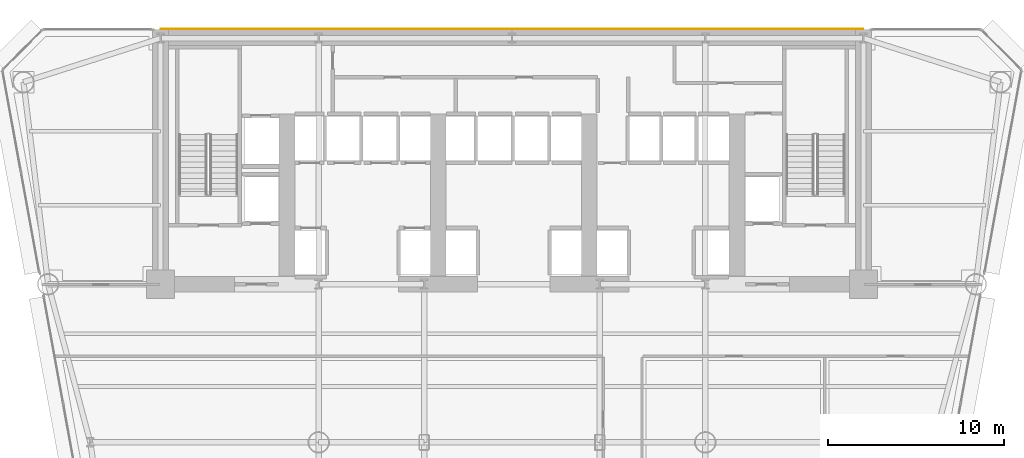
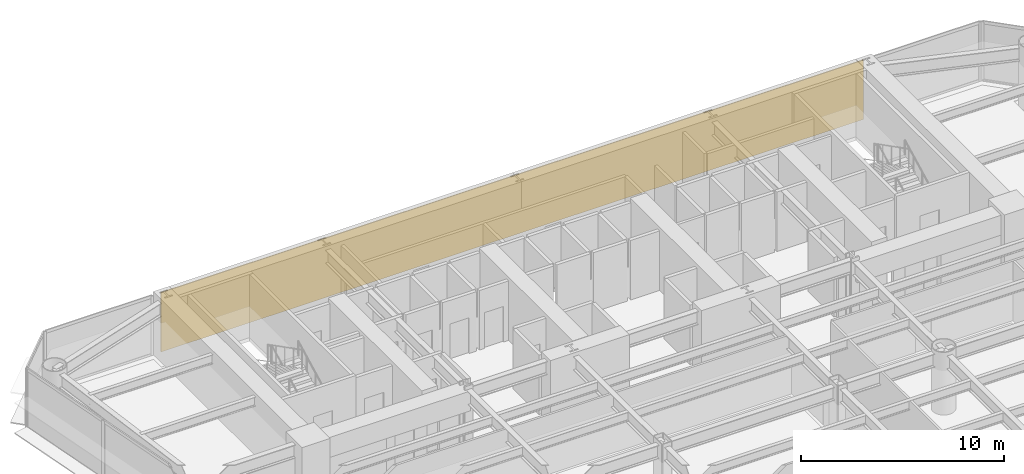
# One storey, part 13 of 14: 1 covering.
"""IFC4 building model written with IfcOpenShell, lengths in metres."""

from ifc_helpers import new_model, si_unit, direction, frame, origin, place, context, subcontext, project, spatial, polyline, outline, extrude, material, layer, layer_set, type_object, element, save


model = new_model("IFC4")

# Units and contexts
model_context = context("Model", 3, precision=1e-05, world=origin(), true_north=direction((0.0, 1.0)))
body_context = subcontext(model_context, "Body", "Model", "MODEL_VIEW")
ifc_project = project(units=[si_unit("LENGTHUNIT", "METRE"), si_unit("AREAUNIT", "SQUARE_METRE"), si_unit("VOLUMEUNIT", "CUBIC_METRE"), si_unit("PLANEANGLEUNIT", "RADIAN"), si_unit("MASSUNIT", "GRAM", prefix="KILO")], contexts=[model_context])

# Site, building, storey
site_placement = place(None, origin())
site = spatial("IfcSite", under=ifc_project, at=site_placement, CompositionType="ELEMENT")
building_placement = place(site_placement, origin())
building = spatial("IfcBuilding", under=site, at=building_placement, Name="Vaeldorn Concourse Tower", CompositionType="ELEMENT")
storey_placement = place(building_placement, frame((0.0, 0.0, 60.60009765625)))
storey = spatial("IfcBuildingStorey", under=building, at=storey_placement, Name="L15", CompositionType="ELEMENT", Elevation=60.60009765625)

# Covering
ifc_material = material(Name="Anodised Bronze Aluminium", Category="aluminium")
ifc_layer = layer(ifc_material, 0.050048828125)
ifc_layer_set = layer_set([ifc_layer], Name="Anodised Bronze Aluminium")
covering_type = type_object("IfcCoveringType", Name="COV-CLAD-BRONZE", PredefinedType="CLADDING", material=ifc_layer_set)
covering_placement = place(storey_placement, origin())
element("IfcCovering", 1, at=covering_placement, inside=storey, type_object=covering_type, Name="Rear Core Bronze Spandrel Cladding L15", PredefinedType="CLADDING", context=body_context, shape_type="SweptSolid", body=[
    extrude(outline(polyline([(14.0, 51.0), (54.0, 51.0), (54.0, 51.050048828125), (14.0, 51.050048828125), (14.0, 51.0)])), origin(), (0.0, 0.0, 1.0), 3.579833984375),
])

save(model, "model.ifc")
